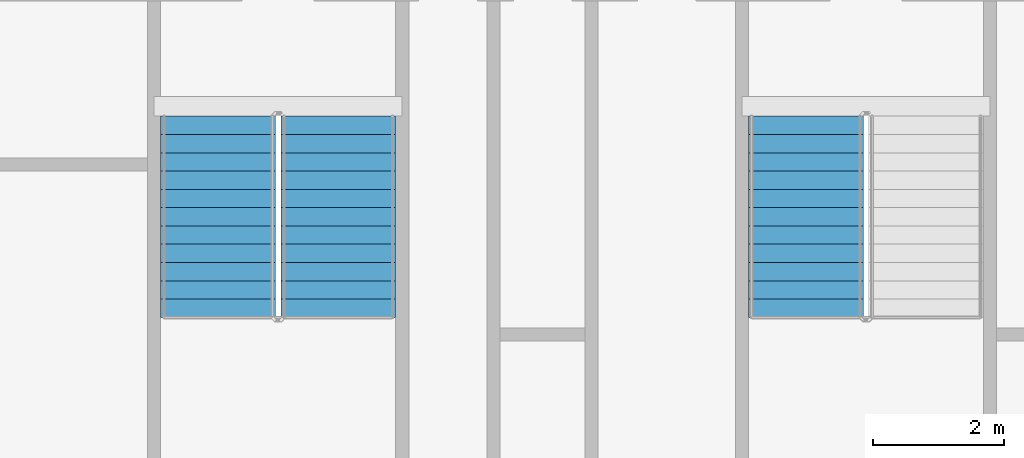
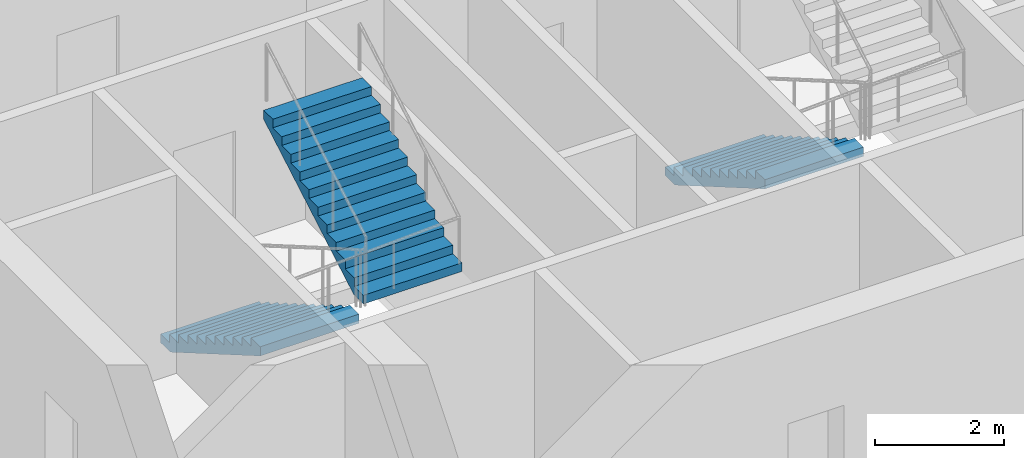
# One storey, part 8 of 15: 3 stair flights, 2 elements without a shape of their own.
"""IFC4 building model written with IfcOpenShell, lengths in metres."""

from ifc_helpers import new_model, si_unit, direction, frame, origin, place, context, subcontext, project, spatial, faceted_brep, material, type_object, element, aggregate, save


model = new_model("IFC4")

# Units and contexts
model_context = context("Model", 3, precision=1e-05, world=origin(), true_north=direction((0.0, 1.0)))
body_context = subcontext(model_context, "Body", "Model", "MODEL_VIEW")
ifc_project = project(units=[si_unit("LENGTHUNIT", "METRE"), si_unit("AREAUNIT", "SQUARE_METRE"), si_unit("VOLUMEUNIT", "CUBIC_METRE"), si_unit("PLANEANGLEUNIT", "RADIAN"), si_unit("MASSUNIT", "GRAM", prefix="KILO")], contexts=[model_context])

# Site, building, storey
site_placement = place(None, origin())
site = spatial("IfcSite", under=ifc_project, at=site_placement, CompositionType="ELEMENT")
building_placement = place(site_placement, origin())
building = spatial("IfcBuilding", under=site, at=building_placement, Name="Tarsis Ring Headquarters", CompositionType="ELEMENT")
storey_placement = place(building_placement, frame((0.0, 0.0, 282.5)))
storey = spatial("IfcBuildingStorey", under=building, at=storey_placement, Name="L66", CompositionType="ELEMENT", Elevation=282.5)

# Stair, stair flights
ifc_material_1 = material(Name="Core stair 1760")
stair_type = type_object("IfcStairType", Name="Core stair 1760", PredefinedType="HALF_TURN_STAIR", material=ifc_material_1)
stair_1_placement = place(storey_placement, origin())
stair_1 = element("IfcStair", 1, at=stair_1_placement, inside=storey, type_object=stair_type, Name="L66 Exit stair C", PredefinedType="HALF_TURN_STAIR")
ifc_material_2 = material(Name="Concrete C40/50", Category="concrete")
stair_flight_type = type_object("IfcStairFlightType", Name="Core stair flight 1760", PredefinedType="STRAIGHT", material=ifc_material_2)
stair_flight_1_placement = place(storey_placement, frame((-5.419921875, -3.659912109375, 0.0), z_axis=(0.0, 0.0, 1.0), x_axis=(0.0, -1.0, 0.0)))
stair_flight_1 = element("IfcStairFlight", 2, at=stair_flight_1_placement, type_object=stair_flight_type, Name="Stair ST3 flight 1", NumberOfRisers=12, NumberOfTreads=11, PredefinedType="STRAIGHT", RiserHeight=0.1625, TreadLength=0.28, context=body_context, shape_type="Brep", body=[
    faceted_brep([(0.0, 0.8798828125, 0.0), (0.0, 0.8798828125, 0.16259765625), (0.280029296875, 0.8798828125, 0.16259765625), (0.280029296875, 0.8798828125, 0.324951171875), (0.56005859375, 0.8798828125, 0.324951171875), (0.56005859375, 0.8798828125, 0.487548828125), (0.840087890625, 0.8798828125, 0.487548828125), (0.840087890625, 0.8798828125, 0.64990234375), (1.1201171875, 0.8798828125, 0.64990234375), (1.1201171875, 0.8798828125, 0.8125), (1.39990234375, 0.8798828125, 0.8125), (1.39990234375, 0.8798828125, 0.97509765625), (1.679931640625, 0.8798828125, 0.97509765625), (1.679931640625, 0.8798828125, 1.137451171875), (1.9599609375, 0.8798828125, 1.137451171875), (1.9599609375, 0.8798828125, 1.300048828125), (2.239990234375, 0.8798828125, 1.300048828125), (2.239990234375, 0.8798828125, 1.46240234375), (2.52001953125, 0.8798828125, 1.46240234375), (2.52001953125, 0.8798828125, 1.625), (2.800048828125, 0.8798828125, 1.625), (2.800048828125, 0.8798828125, 1.78759765625), (3.080078125, 0.8798828125, 1.78759765625), (3.080078125, 0.8798828125, 1.6142578125), (0.298583984375, 0.8798828125, 0.0), (0.298583984375, -0.8798828125, 0.0), (3.080078125, -0.8798828125, 1.6142578125), (3.080078125, -0.8798828125, 1.78759765625), (2.800048828125, -0.8798828125, 1.78759765625), (2.800048828125, -0.8798828125, 1.625), (2.52001953125, -0.8798828125, 1.625), (2.52001953125, -0.8798828125, 1.46240234375), (2.239990234375, -0.8798828125, 1.46240234375), (2.239990234375, -0.8798828125, 1.300048828125), (1.9599609375, -0.8798828125, 1.300048828125), (1.9599609375, -0.8798828125, 1.137451171875), (1.679931640625, -0.8798828125, 1.137451171875), (1.679931640625, -0.8798828125, 0.97509765625), (1.39990234375, -0.8798828125, 0.97509765625), (1.39990234375, -0.8798828125, 0.8125), (1.1201171875, -0.8798828125, 0.8125), (1.1201171875, -0.8798828125, 0.64990234375), (0.840087890625, -0.8798828125, 0.64990234375), (0.840087890625, -0.8798828125, 0.487548828125), (0.56005859375, -0.8798828125, 0.487548828125), (0.56005859375, -0.8798828125, 0.324951171875), (0.280029296875, -0.8798828125, 0.324951171875), (0.280029296875, -0.8798828125, 0.16259765625), (0.0, -0.8798828125, 0.16259765625), (0.0, -0.8798828125, 0.0), (0.0, -0.43994140625, 0.16259765625), (0.0, -0.43994140625, 0.0), (0.0, 0.0, 0.16259765625), (0.0, 0.0, 0.0), (0.0, 0.43994140625, 0.16259765625), (0.0, 0.43994140625, 0.0), (0.280029296875, -0.43994140625, 0.16259765625), (0.280029296875, 0.0, 0.16259765625), (0.280029296875, 0.43994140625, 0.16259765625), (0.280029296875, -0.43994140625, 0.324951171875), (0.280029296875, 0.0, 0.324951171875), (0.280029296875, 0.43994140625, 0.324951171875), (0.56005859375, -0.43994140625, 0.324951171875), (0.56005859375, 0.0, 0.324951171875), (0.56005859375, 0.43994140625, 0.324951171875), (0.56005859375, -0.43994140625, 0.487548828125), (0.56005859375, 0.0, 0.487548828125), (0.56005859375, 0.43994140625, 0.487548828125), (0.840087890625, -0.43994140625, 0.487548828125), (0.840087890625, 0.0, 0.487548828125), (0.840087890625, 0.43994140625, 0.487548828125), (0.840087890625, -0.43994140625, 0.64990234375), (0.840087890625, 0.0, 0.64990234375), (0.840087890625, 0.43994140625, 0.64990234375), (1.1201171875, -0.43994140625, 0.64990234375), (1.1201171875, 0.0, 0.64990234375), (1.1201171875, 0.43994140625, 0.64990234375), (1.1201171875, -0.43994140625, 0.8125), (1.1201171875, 0.0, 0.8125), (1.1201171875, 0.43994140625, 0.8125), (1.39990234375, -0.43994140625, 0.8125), (1.39990234375, 0.0, 0.8125), (1.39990234375, 0.43994140625, 0.8125), (1.39990234375, -0.43994140625, 0.97509765625), (1.39990234375, 0.0, 0.97509765625), (1.39990234375, 0.43994140625, 0.97509765625), (1.679931640625, -0.43994140625, 0.97509765625), (1.679931640625, 0.0, 0.97509765625), (1.679931640625, 0.43994140625, 0.97509765625), (1.679931640625, -0.43994140625, 1.137451171875), (1.679931640625, 0.0, 1.137451171875), (1.679931640625, 0.43994140625, 1.137451171875), (1.9599609375, -0.43994140625, 1.137451171875), (1.9599609375, 0.0, 1.137451171875), (1.9599609375, 0.43994140625, 1.137451171875), (1.9599609375, -0.43994140625, 1.300048828125), (1.9599609375, 0.0, 1.300048828125), (1.9599609375, 0.43994140625, 1.300048828125), (2.239990234375, -0.43994140625, 1.300048828125), (2.239990234375, 0.0, 1.300048828125), (2.239990234375, 0.43994140625, 1.300048828125), (2.239990234375, -0.43994140625, 1.46240234375), (2.239990234375, 0.0, 1.46240234375), (2.239990234375, 0.43994140625, 1.46240234375), (2.52001953125, -0.43994140625, 1.46240234375), (2.52001953125, 0.0, 1.46240234375), (2.52001953125, 0.43994140625, 1.46240234375), (2.52001953125, -0.43994140625, 1.625), (2.52001953125, 0.0, 1.625), (2.52001953125, 0.43994140625, 1.625), (2.800048828125, -0.43994140625, 1.625), (2.800048828125, 0.0, 1.625), (2.800048828125, 0.43994140625, 1.625), (2.800048828125, -0.43994140625, 1.78759765625), (2.800048828125, 0.0, 1.78759765625), (2.800048828125, 0.43994140625, 1.78759765625), (3.080078125, -0.43994140625, 1.78759765625), (3.080078125, 0.0, 1.78759765625), (3.080078125, 0.43994140625, 1.78759765625), (3.080078125, -0.43994140625, 1.6142578125), (3.080078125, 0.0, 1.6142578125), (3.080078125, 0.43994140625, 1.6142578125), (0.298583984375, -0.43994140625, 0.0), (0.298583984375, 0.0, 0.0), (0.298583984375, 0.43994140625, 0.0)], [[[0, 1, 2, 3, 4, 5, 6, 7, 8, 9, 10, 11, 12, 13, 14, 15, 16, 17, 18, 19, 20, 21, 22, 23, 24]], [[25, 26, 27, 28, 29, 30, 31, 32, 33, 34, 35, 36, 37, 38, 39, 40, 41, 42, 43, 44, 45, 46, 47, 48, 49]], [[49, 48, 50, 51]], [[51, 50, 52, 53]], [[53, 52, 54, 55]], [[55, 54, 1, 0]], [[48, 47, 56, 50]], [[50, 56, 57, 52]], [[52, 57, 58, 54]], [[54, 58, 2, 1]], [[47, 46, 59, 56]], [[56, 59, 60, 57]], [[57, 60, 61, 58]], [[58, 61, 3, 2]], [[46, 45, 62, 59]], [[59, 62, 63, 60]], [[60, 63, 64, 61]], [[61, 64, 4, 3]], [[45, 44, 65, 62]], [[62, 65, 66, 63]], [[63, 66, 67, 64]], [[64, 67, 5, 4]], [[44, 43, 68, 65]], [[65, 68, 69, 66]], [[66, 69, 70, 67]], [[67, 70, 6, 5]], [[43, 42, 71, 68]], [[68, 71, 72, 69]], [[69, 72, 73, 70]], [[70, 73, 7, 6]], [[42, 41, 74, 71]], [[71, 74, 75, 72]], [[72, 75, 76, 73]], [[73, 76, 8, 7]], [[41, 40, 77, 74]], [[74, 77, 78, 75]], [[75, 78, 79, 76]], [[76, 79, 9, 8]], [[40, 39, 80, 77]], [[77, 80, 81, 78]], [[78, 81, 82, 79]], [[79, 82, 10, 9]], [[39, 38, 83, 80]], [[80, 83, 84, 81]], [[81, 84, 85, 82]], [[82, 85, 11, 10]], [[38, 37, 86, 83]], [[83, 86, 87, 84]], [[84, 87, 88, 85]], [[85, 88, 12, 11]], [[37, 36, 89, 86]], [[86, 89, 90, 87]], [[87, 90, 91, 88]], [[88, 91, 13, 12]], [[36, 35, 92, 89]], [[89, 92, 93, 90]], [[90, 93, 94, 91]], [[91, 94, 14, 13]], [[35, 34, 95, 92]], [[92, 95, 96, 93]], [[93, 96, 97, 94]], [[94, 97, 15, 14]], [[34, 33, 98, 95]], [[95, 98, 99, 96]], [[96, 99, 100, 97]], [[97, 100, 16, 15]], [[33, 32, 101, 98]], [[98, 101, 102, 99]], [[99, 102, 103, 100]], [[100, 103, 17, 16]], [[32, 31, 104, 101]], [[101, 104, 105, 102]], [[102, 105, 106, 103]], [[103, 106, 18, 17]], [[31, 30, 107, 104]], [[104, 107, 108, 105]], [[105, 108, 109, 106]], [[106, 109, 19, 18]], [[30, 29, 110, 107]], [[107, 110, 111, 108]], [[108, 111, 112, 109]], [[109, 112, 20, 19]], [[29, 28, 113, 110]], [[110, 113, 114, 111]], [[111, 114, 115, 112]], [[112, 115, 21, 20]], [[28, 27, 116, 113]], [[113, 116, 117, 114]], [[114, 117, 118, 115]], [[115, 118, 22, 21]], [[27, 26, 119, 116]], [[116, 119, 120, 117]], [[117, 120, 121, 118]], [[118, 121, 23, 22]], [[26, 25, 122, 119]], [[119, 122, 123, 120]], [[120, 123, 124, 121]], [[121, 124, 24, 23]], [[25, 49, 51, 122]], [[122, 51, 53, 123]], [[123, 53, 55, 124]], [[124, 55, 0, 24]]]),
])
stair_flight_2_placement = place(storey_placement, frame((-3.580078125, -6.739990234375, 1.949951171875), z_axis=(0.0, 0.0, 1.0), x_axis=(0.0, 1.0, 0.0)))
stair_flight_2 = element("IfcStairFlight", 3, at=stair_flight_2_placement, type_object=stair_flight_type, Name="Stair ST3 flight 2", NumberOfRisers=12, NumberOfTreads=11, PredefinedType="STRAIGHT", RiserHeight=0.1625, TreadLength=0.28, context=body_context, shape_type="Brep", body=[
    faceted_brep([(0.0, 0.8798828125, 0.0), (0.0, 0.8798828125, 0.16259765625), (0.280029296875, 0.8798828125, 0.16259765625), (0.280029296875, 0.8798828125, 0.324951171875), (0.56005859375, 0.8798828125, 0.324951171875), (0.56005859375, 0.8798828125, 0.487548828125), (0.840087890625, 0.8798828125, 0.487548828125), (0.840087890625, 0.8798828125, 0.64990234375), (1.1201171875, 0.8798828125, 0.64990234375), (1.1201171875, 0.8798828125, 0.8125), (1.39990234375, 0.8798828125, 0.8125), (1.39990234375, 0.8798828125, 0.97509765625), (1.679931640625, 0.8798828125, 0.97509765625), (1.679931640625, 0.8798828125, 1.137451171875), (1.9599609375, 0.8798828125, 1.137451171875), (1.9599609375, 0.8798828125, 1.300048828125), (2.239990234375, 0.8798828125, 1.300048828125), (2.239990234375, 0.8798828125, 1.46240234375), (2.52001953125, 0.8798828125, 1.46240234375), (2.52001953125, 0.8798828125, 1.625), (2.800048828125, 0.8798828125, 1.625), (2.800048828125, 0.8798828125, 1.78759765625), (3.080078125, 0.8798828125, 1.78759765625), (3.080078125, 0.8798828125, 1.6142578125), (0.298583984375, 0.8798828125, 0.0), (0.298583984375, -0.8798828125, 0.0), (3.080078125, -0.8798828125, 1.6142578125), (3.080078125, -0.8798828125, 1.78759765625), (2.800048828125, -0.8798828125, 1.78759765625), (2.800048828125, -0.8798828125, 1.625), (2.52001953125, -0.8798828125, 1.625), (2.52001953125, -0.8798828125, 1.46240234375), (2.239990234375, -0.8798828125, 1.46240234375), (2.239990234375, -0.8798828125, 1.300048828125), (1.9599609375, -0.8798828125, 1.300048828125), (1.9599609375, -0.8798828125, 1.137451171875), (1.679931640625, -0.8798828125, 1.137451171875), (1.679931640625, -0.8798828125, 0.97509765625), (1.39990234375, -0.8798828125, 0.97509765625), (1.39990234375, -0.8798828125, 0.8125), (1.1201171875, -0.8798828125, 0.8125), (1.1201171875, -0.8798828125, 0.64990234375), (0.840087890625, -0.8798828125, 0.64990234375), (0.840087890625, -0.8798828125, 0.487548828125), (0.56005859375, -0.8798828125, 0.487548828125), (0.56005859375, -0.8798828125, 0.324951171875), (0.280029296875, -0.8798828125, 0.324951171875), (0.280029296875, -0.8798828125, 0.16259765625), (0.0, -0.8798828125, 0.16259765625), (0.0, -0.8798828125, 0.0), (0.0, -0.43994140625, 0.16259765625), (0.0, -0.43994140625, 0.0), (0.0, 0.0, 0.16259765625), (0.0, 0.0, 0.0), (0.0, 0.43994140625, 0.16259765625), (0.0, 0.43994140625, 0.0), (0.280029296875, -0.43994140625, 0.16259765625), (0.280029296875, 0.0, 0.16259765625), (0.280029296875, 0.43994140625, 0.16259765625), (0.280029296875, -0.43994140625, 0.324951171875), (0.280029296875, 0.0, 0.324951171875), (0.280029296875, 0.43994140625, 0.324951171875), (0.56005859375, -0.43994140625, 0.324951171875), (0.56005859375, 0.0, 0.324951171875), (0.56005859375, 0.43994140625, 0.324951171875), (0.56005859375, -0.43994140625, 0.487548828125), (0.56005859375, 0.0, 0.487548828125), (0.56005859375, 0.43994140625, 0.487548828125), (0.840087890625, -0.43994140625, 0.487548828125), (0.840087890625, 0.0, 0.487548828125), (0.840087890625, 0.43994140625, 0.487548828125), (0.840087890625, -0.43994140625, 0.64990234375), (0.840087890625, 0.0, 0.64990234375), (0.840087890625, 0.43994140625, 0.64990234375), (1.1201171875, -0.43994140625, 0.64990234375), (1.1201171875, 0.0, 0.64990234375), (1.1201171875, 0.43994140625, 0.64990234375), (1.1201171875, -0.43994140625, 0.8125), (1.1201171875, 0.0, 0.8125), (1.1201171875, 0.43994140625, 0.8125), (1.39990234375, -0.43994140625, 0.8125), (1.39990234375, 0.0, 0.8125), (1.39990234375, 0.43994140625, 0.8125), (1.39990234375, -0.43994140625, 0.97509765625), (1.39990234375, 0.0, 0.97509765625), (1.39990234375, 0.43994140625, 0.97509765625), (1.679931640625, -0.43994140625, 0.97509765625), (1.679931640625, 0.0, 0.97509765625), (1.679931640625, 0.43994140625, 0.97509765625), (1.679931640625, -0.43994140625, 1.137451171875), (1.679931640625, 0.0, 1.137451171875), (1.679931640625, 0.43994140625, 1.137451171875), (1.9599609375, -0.43994140625, 1.137451171875), (1.9599609375, 0.0, 1.137451171875), (1.9599609375, 0.43994140625, 1.137451171875), (1.9599609375, -0.43994140625, 1.300048828125), (1.9599609375, 0.0, 1.300048828125), (1.9599609375, 0.43994140625, 1.300048828125), (2.239990234375, -0.43994140625, 1.300048828125), (2.239990234375, 0.0, 1.300048828125), (2.239990234375, 0.43994140625, 1.300048828125), (2.239990234375, -0.43994140625, 1.46240234375), (2.239990234375, 0.0, 1.46240234375), (2.239990234375, 0.43994140625, 1.46240234375), (2.52001953125, -0.43994140625, 1.46240234375), (2.52001953125, 0.0, 1.46240234375), (2.52001953125, 0.43994140625, 1.46240234375), (2.52001953125, -0.43994140625, 1.625), (2.52001953125, 0.0, 1.625), (2.52001953125, 0.43994140625, 1.625), (2.800048828125, -0.43994140625, 1.625), (2.800048828125, 0.0, 1.625), (2.800048828125, 0.43994140625, 1.625), (2.800048828125, -0.43994140625, 1.78759765625), (2.800048828125, 0.0, 1.78759765625), (2.800048828125, 0.43994140625, 1.78759765625), (3.080078125, -0.43994140625, 1.78759765625), (3.080078125, 0.0, 1.78759765625), (3.080078125, 0.43994140625, 1.78759765625), (3.080078125, -0.43994140625, 1.6142578125), (3.080078125, 0.0, 1.6142578125), (3.080078125, 0.43994140625, 1.6142578125), (0.298583984375, -0.43994140625, 0.0), (0.298583984375, 0.0, 0.0), (0.298583984375, 0.43994140625, 0.0)], [[[0, 1, 2, 3, 4, 5, 6, 7, 8, 9, 10, 11, 12, 13, 14, 15, 16, 17, 18, 19, 20, 21, 22, 23, 24]], [[25, 26, 27, 28, 29, 30, 31, 32, 33, 34, 35, 36, 37, 38, 39, 40, 41, 42, 43, 44, 45, 46, 47, 48, 49]], [[49, 48, 50, 51]], [[51, 50, 52, 53]], [[53, 52, 54, 55]], [[55, 54, 1, 0]], [[48, 47, 56, 50]], [[50, 56, 57, 52]], [[52, 57, 58, 54]], [[54, 58, 2, 1]], [[47, 46, 59, 56]], [[56, 59, 60, 57]], [[57, 60, 61, 58]], [[58, 61, 3, 2]], [[46, 45, 62, 59]], [[59, 62, 63, 60]], [[60, 63, 64, 61]], [[61, 64, 4, 3]], [[45, 44, 65, 62]], [[62, 65, 66, 63]], [[63, 66, 67, 64]], [[64, 67, 5, 4]], [[44, 43, 68, 65]], [[65, 68, 69, 66]], [[66, 69, 70, 67]], [[67, 70, 6, 5]], [[43, 42, 71, 68]], [[68, 71, 72, 69]], [[69, 72, 73, 70]], [[70, 73, 7, 6]], [[42, 41, 74, 71]], [[71, 74, 75, 72]], [[72, 75, 76, 73]], [[73, 76, 8, 7]], [[41, 40, 77, 74]], [[74, 77, 78, 75]], [[75, 78, 79, 76]], [[76, 79, 9, 8]], [[40, 39, 80, 77]], [[77, 80, 81, 78]], [[78, 81, 82, 79]], [[79, 82, 10, 9]], [[39, 38, 83, 80]], [[80, 83, 84, 81]], [[81, 84, 85, 82]], [[82, 85, 11, 10]], [[38, 37, 86, 83]], [[83, 86, 87, 84]], [[84, 87, 88, 85]], [[85, 88, 12, 11]], [[37, 36, 89, 86]], [[86, 89, 90, 87]], [[87, 90, 91, 88]], [[88, 91, 13, 12]], [[36, 35, 92, 89]], [[89, 92, 93, 90]], [[90, 93, 94, 91]], [[91, 94, 14, 13]], [[35, 34, 95, 92]], [[92, 95, 96, 93]], [[93, 96, 97, 94]], [[94, 97, 15, 14]], [[34, 33, 98, 95]], [[95, 98, 99, 96]], [[96, 99, 100, 97]], [[97, 100, 16, 15]], [[33, 32, 101, 98]], [[98, 101, 102, 99]], [[99, 102, 103, 100]], [[100, 103, 17, 16]], [[32, 31, 104, 101]], [[101, 104, 105, 102]], [[102, 105, 106, 103]], [[103, 106, 18, 17]], [[31, 30, 107, 104]], [[104, 107, 108, 105]], [[105, 108, 109, 106]], [[106, 109, 19, 18]], [[30, 29, 110, 107]], [[107, 110, 111, 108]], [[108, 111, 112, 109]], [[109, 112, 20, 19]], [[29, 28, 113, 110]], [[110, 113, 114, 111]], [[111, 114, 115, 112]], [[112, 115, 21, 20]], [[28, 27, 116, 113]], [[113, 116, 117, 114]], [[114, 117, 118, 115]], [[115, 118, 22, 21]], [[27, 26, 119, 116]], [[116, 119, 120, 117]], [[117, 120, 121, 118]], [[118, 121, 23, 22]], [[26, 25, 122, 119]], [[119, 122, 123, 120]], [[120, 123, 124, 121]], [[121, 124, 24, 23]], [[25, 49, 51, 122]], [[122, 51, 53, 123]], [[123, 53, 55, 124]], [[124, 55, 0, 24]]]),
])
aggregate(stair_1, [stair_flight_1, stair_flight_2])

# Stair, stair flight
stair_2_placement = place(storey_placement, origin())
stair_2 = element("IfcStair", 4, at=stair_2_placement, inside=storey, type_object=stair_type, Name="L66 Exit stair D", PredefinedType="HALF_TURN_STAIR")
stair_flight_3_placement = place(storey_placement, frame((3.580078125, -3.659912109375, 0.0), z_axis=(0.0, 0.0, 1.0), x_axis=(0.0, -1.0, 0.0)))
stair_flight_3 = element("IfcStairFlight", 5, at=stair_flight_3_placement, type_object=stair_flight_type, Name="Stair ST4 flight 1", NumberOfRisers=12, NumberOfTreads=11, PredefinedType="STRAIGHT", RiserHeight=0.1625, TreadLength=0.28, context=body_context, shape_type="Brep", body=[
    faceted_brep([(0.0, 0.8798828125, 0.0), (0.0, 0.8798828125, 0.16259765625), (0.280029296875, 0.8798828125, 0.16259765625), (0.280029296875, 0.8798828125, 0.324951171875), (0.56005859375, 0.8798828125, 0.324951171875), (0.56005859375, 0.8798828125, 0.487548828125), (0.840087890625, 0.8798828125, 0.487548828125), (0.840087890625, 0.8798828125, 0.64990234375), (1.1201171875, 0.8798828125, 0.64990234375), (1.1201171875, 0.8798828125, 0.8125), (1.39990234375, 0.8798828125, 0.8125), (1.39990234375, 0.8798828125, 0.97509765625), (1.679931640625, 0.8798828125, 0.97509765625), (1.679931640625, 0.8798828125, 1.137451171875), (1.9599609375, 0.8798828125, 1.137451171875), (1.9599609375, 0.8798828125, 1.300048828125), (2.239990234375, 0.8798828125, 1.300048828125), (2.239990234375, 0.8798828125, 1.46240234375), (2.52001953125, 0.8798828125, 1.46240234375), (2.52001953125, 0.8798828125, 1.625), (2.800048828125, 0.8798828125, 1.625), (2.800048828125, 0.8798828125, 1.78759765625), (3.080078125, 0.8798828125, 1.78759765625), (3.080078125, 0.8798828125, 1.6142578125), (0.298583984375, 0.8798828125, 0.0), (0.298583984375, -0.8798828125, 0.0), (3.080078125, -0.8798828125, 1.6142578125), (3.080078125, -0.8798828125, 1.78759765625), (2.800048828125, -0.8798828125, 1.78759765625), (2.800048828125, -0.8798828125, 1.625), (2.52001953125, -0.8798828125, 1.625), (2.52001953125, -0.8798828125, 1.46240234375), (2.239990234375, -0.8798828125, 1.46240234375), (2.239990234375, -0.8798828125, 1.300048828125), (1.9599609375, -0.8798828125, 1.300048828125), (1.9599609375, -0.8798828125, 1.137451171875), (1.679931640625, -0.8798828125, 1.137451171875), (1.679931640625, -0.8798828125, 0.97509765625), (1.39990234375, -0.8798828125, 0.97509765625), (1.39990234375, -0.8798828125, 0.8125), (1.1201171875, -0.8798828125, 0.8125), (1.1201171875, -0.8798828125, 0.64990234375), (0.840087890625, -0.8798828125, 0.64990234375), (0.840087890625, -0.8798828125, 0.487548828125), (0.56005859375, -0.8798828125, 0.487548828125), (0.56005859375, -0.8798828125, 0.324951171875), (0.280029296875, -0.8798828125, 0.324951171875), (0.280029296875, -0.8798828125, 0.16259765625), (0.0, -0.8798828125, 0.16259765625), (0.0, -0.8798828125, 0.0), (0.0, -0.43994140625, 0.16259765625), (0.0, -0.43994140625, 0.0), (0.0, 0.0, 0.16259765625), (0.0, 0.0, 0.0), (0.0, 0.43994140625, 0.16259765625), (0.0, 0.43994140625, 0.0), (0.280029296875, -0.43994140625, 0.16259765625), (0.280029296875, 0.0, 0.16259765625), (0.280029296875, 0.43994140625, 0.16259765625), (0.280029296875, -0.43994140625, 0.324951171875), (0.280029296875, 0.0, 0.324951171875), (0.280029296875, 0.43994140625, 0.324951171875), (0.56005859375, -0.43994140625, 0.324951171875), (0.56005859375, 0.0, 0.324951171875), (0.56005859375, 0.43994140625, 0.324951171875), (0.56005859375, -0.43994140625, 0.487548828125), (0.56005859375, 0.0, 0.487548828125), (0.56005859375, 0.43994140625, 0.487548828125), (0.840087890625, -0.43994140625, 0.487548828125), (0.840087890625, 0.0, 0.487548828125), (0.840087890625, 0.43994140625, 0.487548828125), (0.840087890625, -0.43994140625, 0.64990234375), (0.840087890625, 0.0, 0.64990234375), (0.840087890625, 0.43994140625, 0.64990234375), (1.1201171875, -0.43994140625, 0.64990234375), (1.1201171875, 0.0, 0.64990234375), (1.1201171875, 0.43994140625, 0.64990234375), (1.1201171875, -0.43994140625, 0.8125), (1.1201171875, 0.0, 0.8125), (1.1201171875, 0.43994140625, 0.8125), (1.39990234375, -0.43994140625, 0.8125), (1.39990234375, 0.0, 0.8125), (1.39990234375, 0.43994140625, 0.8125), (1.39990234375, -0.43994140625, 0.97509765625), (1.39990234375, 0.0, 0.97509765625), (1.39990234375, 0.43994140625, 0.97509765625), (1.679931640625, -0.43994140625, 0.97509765625), (1.679931640625, 0.0, 0.97509765625), (1.679931640625, 0.43994140625, 0.97509765625), (1.679931640625, -0.43994140625, 1.137451171875), (1.679931640625, 0.0, 1.137451171875), (1.679931640625, 0.43994140625, 1.137451171875), (1.9599609375, -0.43994140625, 1.137451171875), (1.9599609375, 0.0, 1.137451171875), (1.9599609375, 0.43994140625, 1.137451171875), (1.9599609375, -0.43994140625, 1.300048828125), (1.9599609375, 0.0, 1.300048828125), (1.9599609375, 0.43994140625, 1.300048828125), (2.239990234375, -0.43994140625, 1.300048828125), (2.239990234375, 0.0, 1.300048828125), (2.239990234375, 0.43994140625, 1.300048828125), (2.239990234375, -0.43994140625, 1.46240234375), (2.239990234375, 0.0, 1.46240234375), (2.239990234375, 0.43994140625, 1.46240234375), (2.52001953125, -0.43994140625, 1.46240234375), (2.52001953125, 0.0, 1.46240234375), (2.52001953125, 0.43994140625, 1.46240234375), (2.52001953125, -0.43994140625, 1.625), (2.52001953125, 0.0, 1.625), (2.52001953125, 0.43994140625, 1.625), (2.800048828125, -0.43994140625, 1.625), (2.800048828125, 0.0, 1.625), (2.800048828125, 0.43994140625, 1.625), (2.800048828125, -0.43994140625, 1.78759765625), (2.800048828125, 0.0, 1.78759765625), (2.800048828125, 0.43994140625, 1.78759765625), (3.080078125, -0.43994140625, 1.78759765625), (3.080078125, 0.0, 1.78759765625), (3.080078125, 0.43994140625, 1.78759765625), (3.080078125, -0.43994140625, 1.6142578125), (3.080078125, 0.0, 1.6142578125), (3.080078125, 0.43994140625, 1.6142578125), (0.298583984375, -0.43994140625, 0.0), (0.298583984375, 0.0, 0.0), (0.298583984375, 0.43994140625, 0.0)], [[[0, 1, 2, 3, 4, 5, 6, 7, 8, 9, 10, 11, 12, 13, 14, 15, 16, 17, 18, 19, 20, 21, 22, 23, 24]], [[25, 26, 27, 28, 29, 30, 31, 32, 33, 34, 35, 36, 37, 38, 39, 40, 41, 42, 43, 44, 45, 46, 47, 48, 49]], [[49, 48, 50, 51]], [[51, 50, 52, 53]], [[53, 52, 54, 55]], [[55, 54, 1, 0]], [[48, 47, 56, 50]], [[50, 56, 57, 52]], [[52, 57, 58, 54]], [[54, 58, 2, 1]], [[47, 46, 59, 56]], [[56, 59, 60, 57]], [[57, 60, 61, 58]], [[58, 61, 3, 2]], [[46, 45, 62, 59]], [[59, 62, 63, 60]], [[60, 63, 64, 61]], [[61, 64, 4, 3]], [[45, 44, 65, 62]], [[62, 65, 66, 63]], [[63, 66, 67, 64]], [[64, 67, 5, 4]], [[44, 43, 68, 65]], [[65, 68, 69, 66]], [[66, 69, 70, 67]], [[67, 70, 6, 5]], [[43, 42, 71, 68]], [[68, 71, 72, 69]], [[69, 72, 73, 70]], [[70, 73, 7, 6]], [[42, 41, 74, 71]], [[71, 74, 75, 72]], [[72, 75, 76, 73]], [[73, 76, 8, 7]], [[41, 40, 77, 74]], [[74, 77, 78, 75]], [[75, 78, 79, 76]], [[76, 79, 9, 8]], [[40, 39, 80, 77]], [[77, 80, 81, 78]], [[78, 81, 82, 79]], [[79, 82, 10, 9]], [[39, 38, 83, 80]], [[80, 83, 84, 81]], [[81, 84, 85, 82]], [[82, 85, 11, 10]], [[38, 37, 86, 83]], [[83, 86, 87, 84]], [[84, 87, 88, 85]], [[85, 88, 12, 11]], [[37, 36, 89, 86]], [[86, 89, 90, 87]], [[87, 90, 91, 88]], [[88, 91, 13, 12]], [[36, 35, 92, 89]], [[89, 92, 93, 90]], [[90, 93, 94, 91]], [[91, 94, 14, 13]], [[35, 34, 95, 92]], [[92, 95, 96, 93]], [[93, 96, 97, 94]], [[94, 97, 15, 14]], [[34, 33, 98, 95]], [[95, 98, 99, 96]], [[96, 99, 100, 97]], [[97, 100, 16, 15]], [[33, 32, 101, 98]], [[98, 101, 102, 99]], [[99, 102, 103, 100]], [[100, 103, 17, 16]], [[32, 31, 104, 101]], [[101, 104, 105, 102]], [[102, 105, 106, 103]], [[103, 106, 18, 17]], [[31, 30, 107, 104]], [[104, 107, 108, 105]], [[105, 108, 109, 106]], [[106, 109, 19, 18]], [[30, 29, 110, 107]], [[107, 110, 111, 108]], [[108, 111, 112, 109]], [[109, 112, 20, 19]], [[29, 28, 113, 110]], [[110, 113, 114, 111]], [[111, 114, 115, 112]], [[112, 115, 21, 20]], [[28, 27, 116, 113]], [[113, 116, 117, 114]], [[114, 117, 118, 115]], [[115, 118, 22, 21]], [[27, 26, 119, 116]], [[116, 119, 120, 117]], [[117, 120, 121, 118]], [[118, 121, 23, 22]], [[26, 25, 122, 119]], [[119, 122, 123, 120]], [[120, 123, 124, 121]], [[121, 124, 24, 23]], [[25, 49, 51, 122]], [[122, 51, 53, 123]], [[123, 53, 55, 124]], [[124, 55, 0, 24]]]),
])
aggregate(stair_2, [stair_flight_3])

save(model, "model.ifc")
